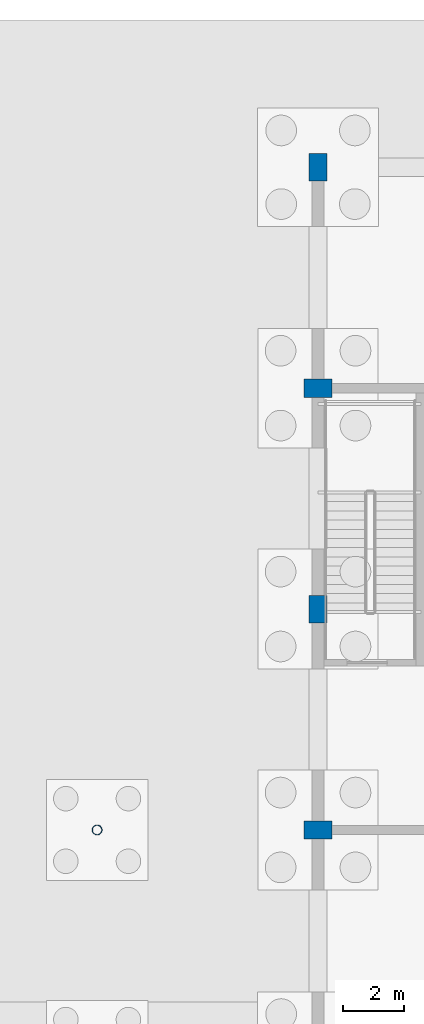
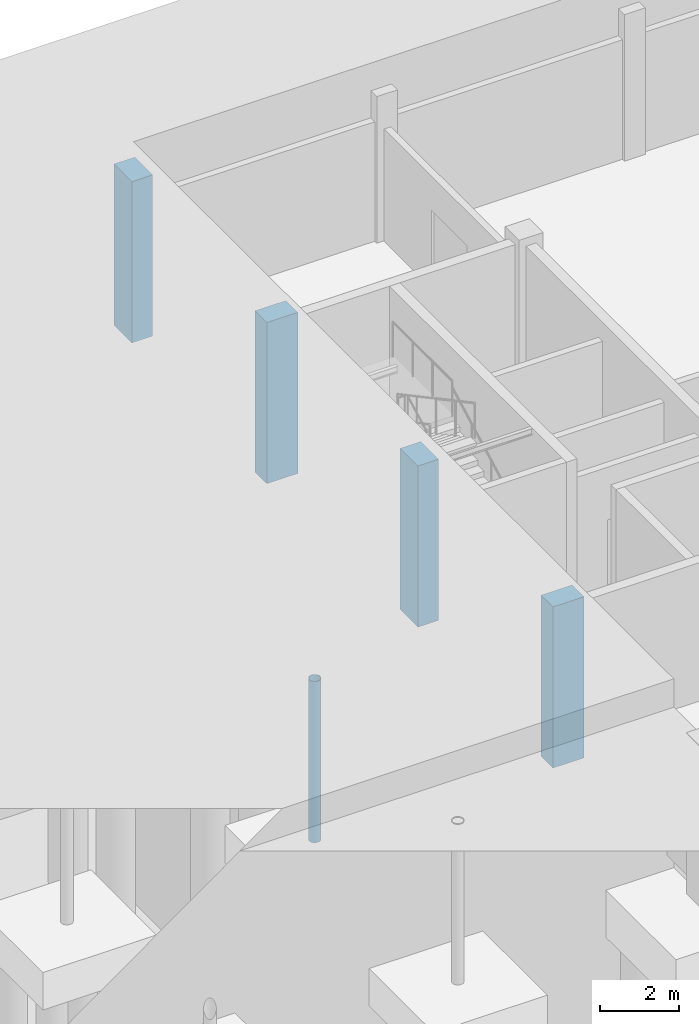
# One storey, part 20 of 51: 5 columns.
"""IFC4 building model written with IfcOpenShell, lengths in metres."""

from ifc_helpers import new_model, si_unit, direction, frame, origin, origin_2d, place, context, subcontext, project, spatial, rectangle, hollow_circle, extrude, material, material_profile, profile_set, type_object, element, save


model = new_model("IFC4")

# Units and contexts
model_context = context("Model", 3, precision=1e-05, world=origin(), true_north=direction((0.0, 1.0)))
body_context = subcontext(model_context, "Body", "Model", "MODEL_VIEW")
ifc_project = project(units=[si_unit("LENGTHUNIT", "METRE"), si_unit("AREAUNIT", "SQUARE_METRE"), si_unit("VOLUMEUNIT", "CUBIC_METRE"), si_unit("PLANEANGLEUNIT", "RADIAN"), si_unit("MASSUNIT", "GRAM", prefix="KILO")], contexts=[model_context])

# Site, building, storey
site_placement = place(None, origin())
site = spatial("IfcSite", under=ifc_project, at=site_placement, CompositionType="ELEMENT")
building_placement = place(site_placement, origin())
building = spatial("IfcBuilding", under=site, at=building_placement, Name="Zlatovets Crest Museum", CompositionType="ELEMENT")
storey_placement = place(building_placement, frame((0.0, 0.0, -4.5)))
storey = spatial("IfcBuildingStorey", under=building, at=storey_placement, Name="B1", CompositionType="ELEMENT", Elevation=-4.5)

# Columns
ifc_material_1 = material(Name="Concrete C35/45", Category="concrete")
ifc_material_profile_1 = material_profile(ifc_material_1, rectangle(XDim=0.60009765625, YDim=0.89990234375, at=origin_2d()), Name="RC 600x900")
ifc_profile_set_1 = profile_set([ifc_material_profile_1], Name="Concrete C35/45")
column_type_1 = type_object("IfcColumnType", Name="Col_C-03", PredefinedType="PILASTER", material=ifc_profile_set_1)
for number, where, z_axis, x_axis, name in (
    (1, (57.60009765625, 93.60009765625, -0.449951171875), (0.0, 0.0, 1.0), (0.0, 1.0, 0.0), "V1 B1 Column (57.6, 93.6)"),
    (2, (57.60009765625, 100.800048828125, -0.449951171875), (0.0, 0.0, 1.0), (1.0, 0.0, 0.0), "V1 B1 Column (57.6, 100.8)"),
    (3, (57.60009765625, 108.0, -0.449951171875), (0.0, 0.0, 1.0), (0.0, 1.0, 0.0), "V1 B1 Column (57.6, 108.0)"),
    (4, (57.60009765625, 115.199951171875, -0.449951171875), (0.0, 0.0, 1.0), (1.0, 0.0, 0.0), "V1 B1 Column (57.6, 115.2)"),
):
    element("IfcColumn", number, at=place(storey_placement, frame(where, z_axis=z_axis, x_axis=x_axis)), inside=storey, type_object=column_type_1, Name=name, PredefinedType="PILASTER", context=body_context, shape_type="SweptSolid", body=[
        extrude(rectangle(XDim=0.60009765625, YDim=0.89990234375, at=origin_2d()), origin(), (0.0, 0.0, 1.0), 4.949951171875),
    ])
ifc_material_2 = material(Name="Structural steel S355J2", Category="steel")
ifc_material_profile_2 = material_profile(ifc_material_2, hollow_circle(Radius=0.161865234375, WallThickness=0.012451171875, at=origin_2d()), Name="CHS 323.9x12.5")
ifc_profile_set_2 = profile_set([ifc_material_profile_2], Name="Structural steel S355J2")
column_type_2 = type_object("IfcColumnType", Name="Col_C-13", PredefinedType="COLUMN", material=ifc_profile_set_2)
column_placement = place(storey_placement, frame((50.39990234375, 93.60009765625, -0.449951171875), z_axis=(0.0, 0.0, 1.0), x_axis=(1.0, 0.0, 0.0)))
element("IfcColumn", 5, at=column_placement, inside=storey, type_object=column_type_2, Name="Northwest Crest Glazed Link Bridge Portal Column", PredefinedType="COLUMN", context=body_context, shape_type="SweptSolid", body=[
    extrude(hollow_circle(Radius=0.161865234375, WallThickness=0.012451171875, at=origin_2d()), origin(), (0.0, 0.0, 1.0), 4.949951171875),
])

save(model, "model.ifc")
